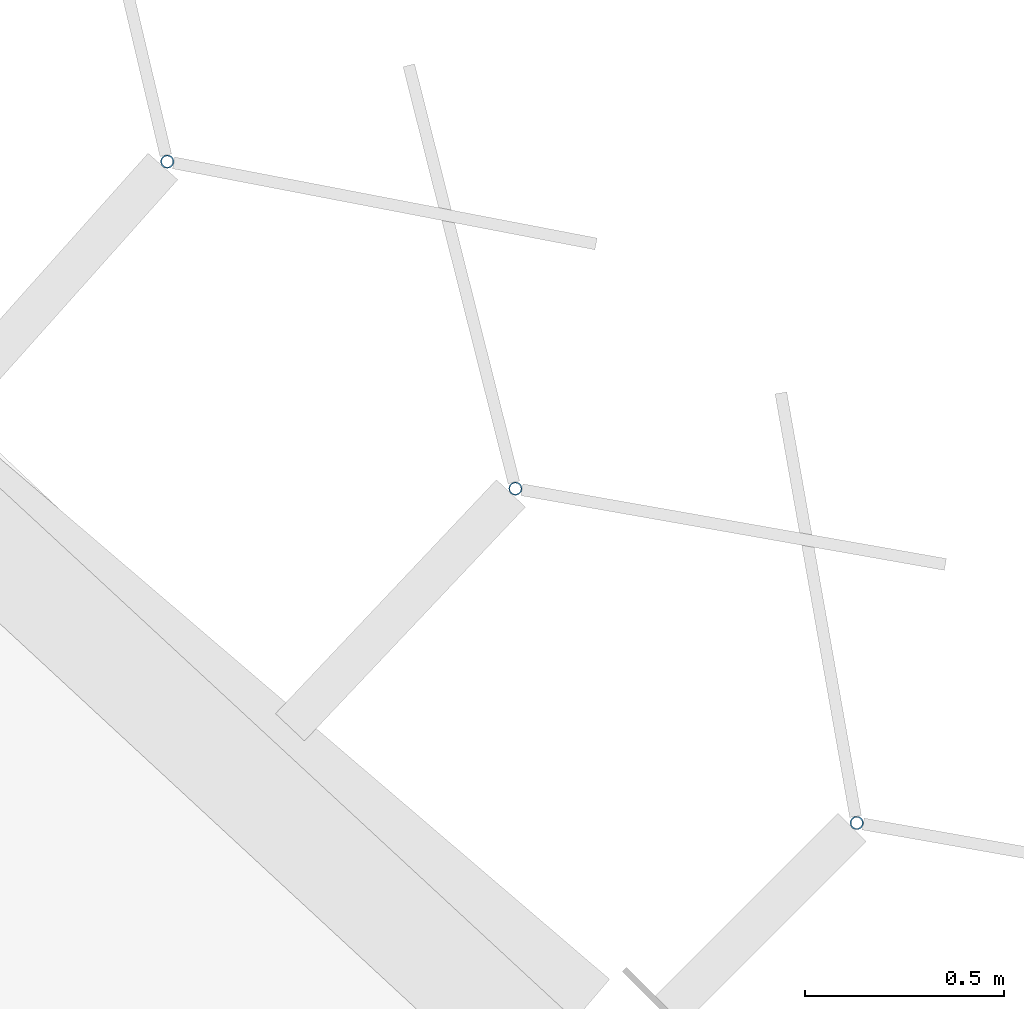
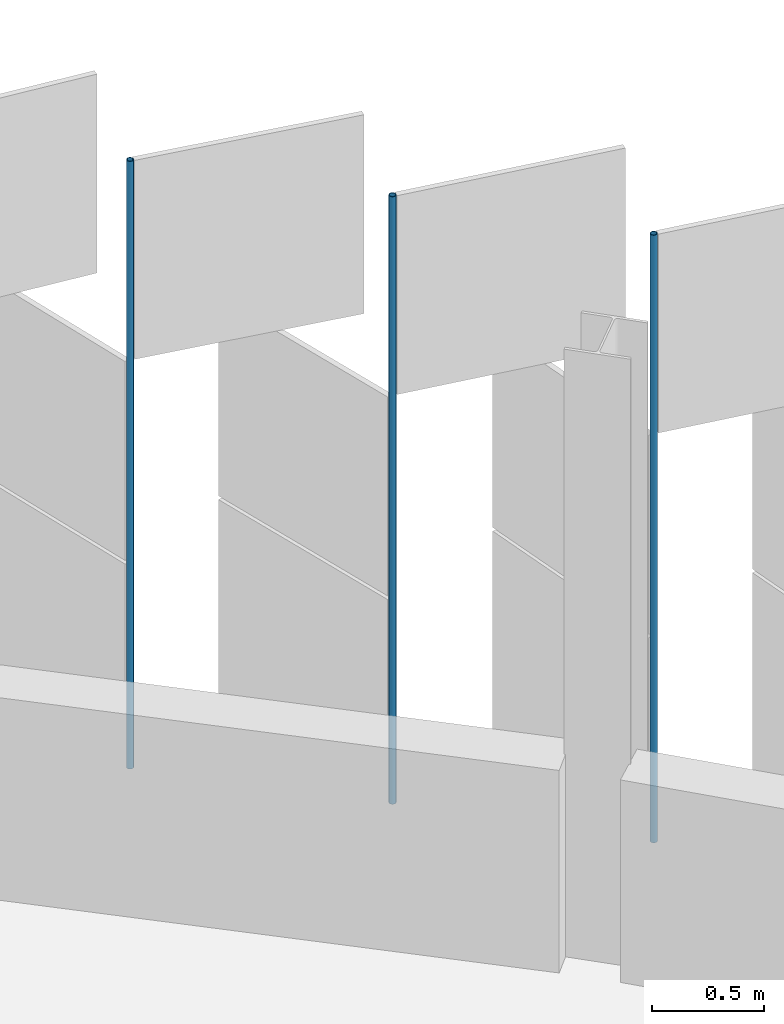
# One storey, part 129 of 198: 3 discrete accessories.
"""IFC4 building model written with IfcOpenShell, lengths in metres."""

from ifc_helpers import new_model, si_unit, direction, frame, origin, origin_2d, place, context, subcontext, project, spatial, hollow_circle, extrude, material, material_profile, profile_set, type_object, element, save


model = new_model("IFC4")

# Units and contexts
model_context = context("Model", 3, precision=1e-05, world=origin(), true_north=direction((0.0, 1.0)))
body_context = subcontext(model_context, "Body", "Model", "MODEL_VIEW")
ifc_project = project(units=[si_unit("LENGTHUNIT", "METRE"), si_unit("AREAUNIT", "SQUARE_METRE"), si_unit("VOLUMEUNIT", "CUBIC_METRE"), si_unit("PLANEANGLEUNIT", "RADIAN"), si_unit("MASSUNIT", "GRAM", prefix="KILO")], contexts=[model_context])

# Site, building, storey
site_placement = place(None, origin())
site = spatial("IfcSite", under=ifc_project, at=site_placement, CompositionType="ELEMENT")
building_placement = place(site_placement, origin())
building = spatial("IfcBuilding", under=site, at=building_placement, Name="Parallax Yard Mobility Hub", CompositionType="ELEMENT")
storey_placement = place(building_placement, frame((0.0, 0.0, 6.60009765625)))
storey = spatial("IfcBuildingStorey", under=building, at=storey_placement, Name="L02", CompositionType="ELEMENT", Elevation=6.60009765625)

# Discrete accessories
ifc_material = material(Name="Steel ASTM A500 Gr C, hot-dip galvanised", Category="steel")
ifc_material_profile = material_profile(ifc_material, hollow_circle(Radius=0.016845703125, WallThickness=0.003173828125, at=origin_2d()), Name="CHS 33.7x3.2")
ifc_profile_set = profile_set([ifc_material_profile], Name="Steel ASTM A500 Gr C, hot-dip galvanised")
discrete_accessory_type = type_object("IfcDiscreteAccessoryType", Name="Hinge post CHS 33.7x3.2", PredefinedType="BRACKET", material=ifc_profile_set)
for number, where, z_axis, x_axis, name in (
    (1, (210.20166015625, 127.701904296875, 0.0), (0.0, 0.0, 1.0), (1.0, 0.0, 0.0), "Hinge post bay 46.1 level L02"),
    (2, (209.344482421875, 128.54150390625, 0.0), (0.0, 0.0, 1.0), (1.0, 0.0, 0.0), "Hinge post bay 46.2 level L02"),
    (3, (208.47021484375, 129.36279296875, 0.0), (0.0, 0.0, 1.0), (1.0, 0.0, 0.0), "Hinge post bay 46.3 level L02"),
):
    element("IfcDiscreteAccessory", number, at=place(storey_placement, frame(where, z_axis=z_axis, x_axis=x_axis)), inside=storey, type_object=discrete_accessory_type, Name=name, PredefinedType="BRACKET", context=body_context, shape_type="SweptSolid", body=[
        extrude(hollow_circle(Radius=0.016845703125, WallThickness=0.003173828125, at=origin_2d()), origin(), (0.0, 0.0, 1.0), 3.2998046875),
    ])

save(model, "model.ifc")
